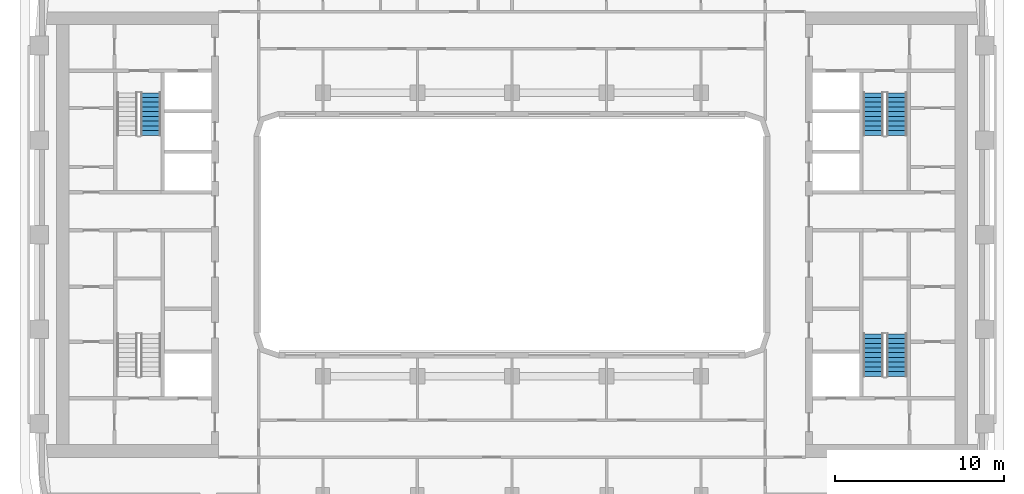
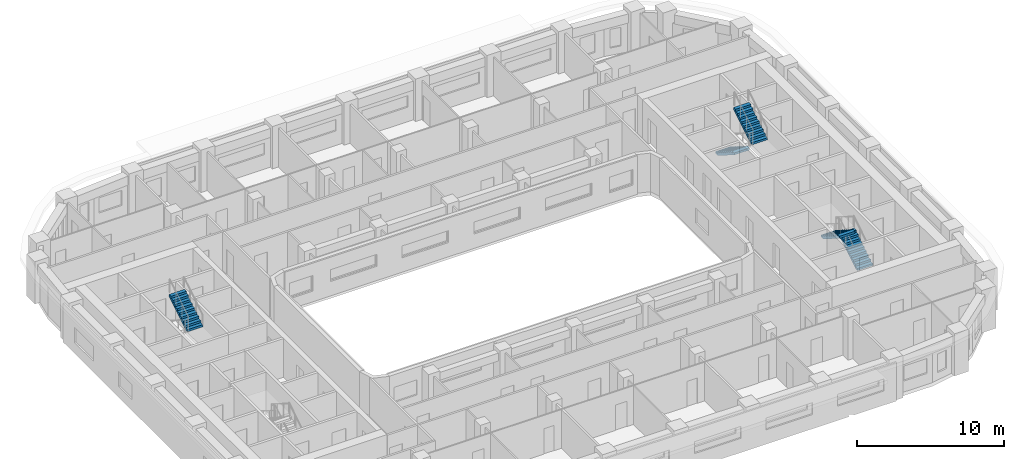
# One storey, part 10 of 22: 5 stair flights, 3 elements without a shape of their own.
"""IFC4 building model written with IfcOpenShell, lengths in metres."""

from ifc_helpers import new_model, si_unit, direction, frame, origin, place, context, subcontext, project, spatial, polyline, outline, extrude, material, type_object, element, aggregate, save


model = new_model("IFC4")

# Units and contexts
model_context = context("Model", 3, precision=1e-05, world=origin(), true_north=direction((0.0, 1.0)))
body_context = subcontext(model_context, "Body", "Model", "MODEL_VIEW")
ifc_project = project(units=[si_unit("LENGTHUNIT", "METRE"), si_unit("AREAUNIT", "SQUARE_METRE"), si_unit("VOLUMEUNIT", "CUBIC_METRE"), si_unit("PLANEANGLEUNIT", "RADIAN"), si_unit("MASSUNIT", "GRAM", prefix="KILO")], contexts=[model_context])

# Site, building, storey
site_placement = place(None, origin())
site = spatial("IfcSite", under=ifc_project, at=site_placement, CompositionType="ELEMENT")
building_placement = place(site_placement, origin())
building = spatial("IfcBuilding", under=site, at=building_placement, Name="Kiln Ring Residences", CompositionType="ELEMENT")
storey_placement = place(building_placement, frame((0.0, 0.0, 146.60009765625)))
storey = spatial("IfcBuildingStorey", under=building, at=storey_placement, Name="L37", CompositionType="ELEMENT", Elevation=146.60009765625)

# Stair, stair flight
ifc_material_1 = material(Name="Concrete C40/50", Category="concrete")
stair_type = type_object("IfcStairType", Name="CORE-STAIR", PredefinedType="HALF_TURN_STAIR", material=ifc_material_1)
placement = place(storey_placement, origin())
stair_1 = element("IfcStair", 1, at=placement, inside=storey, type_object=stair_type, Name="L37 stair W-STN", PredefinedType="HALF_TURN_STAIR")
ifc_material_2 = material(Name="Concrete C40/50", Category="concrete")
stair_flight_type = type_object("IfcStairFlightType", Name="CORE-STAIR-FLIGHT", PredefinedType="STRAIGHT", material=ifc_material_2)
stair_flight_1_placement = place(storey_placement, frame((-21.39990234375, 5.8798828125, 1.75), z_axis=(0.0, 0.0, 1.0), x_axis=(0.0, 1.0, 0.0)))
stair_flight_1 = element("IfcStairFlight", 2, at=stair_flight_1_placement, type_object=stair_flight_type, Name="W-STN flight 2", NumberOfRisers=10, NumberOfTreads=9, PredefinedType="STRAIGHT", RiserHeight=0.175, TreadLength=0.28, context=body_context, shape_type="SweptSolid", body=[
    extrude(outline(polyline([(0.0, 0.0), (0.0, 0.175048828125), (0.280029296875, 0.175048828125), (0.280029296875, 0.35009765625), (0.56005859375, 0.35009765625), (0.56005859375, 0.52490234375), (0.840087890625, 0.52490234375), (0.840087890625, 0.699951171875), (1.1201171875, 0.699951171875), (1.1201171875, 0.875), (1.39990234375, 0.875), (1.39990234375, 1.050048828125), (1.679931640625, 1.050048828125), (1.679931640625, 1.22509765625), (1.9599609375, 1.22509765625), (1.9599609375, 1.39990234375), (2.239990234375, 1.39990234375), (2.239990234375, 1.574951171875), (2.52001953125, 1.574951171875), (2.52001953125, 1.75), (2.52001953125, 1.398193359375), (0.28271484375, 0.0), (0.0, 0.0)])), frame((0.0, 0.60009765625, 0.0), z_axis=(0.0, -1.0, 0.0), x_axis=(1.0, 0.0, 0.0)), (0.0, 0.0, 1.0), 1.199951171875),
])
aggregate(stair_1, [stair_flight_1])

# Stair, stair flights
stair_2 = element("IfcStair", 3, at=placement, inside=storey, type_object=stair_type, Name="L37 stair E-STN", PredefinedType="HALF_TURN_STAIR")
stair_flight_2_placement = place(storey_placement, frame((21.39990234375, 8.39990234375, 0.0), z_axis=(0.0, 0.0, 1.0), x_axis=(0.0, -1.0, 0.0)))
stair_flight_2 = element("IfcStairFlight", 4, at=stair_flight_2_placement, type_object=stair_flight_type, Name="E-STN flight 1", NumberOfRisers=10, NumberOfTreads=9, PredefinedType="STRAIGHT", RiserHeight=0.175, TreadLength=0.28, context=body_context, shape_type="SweptSolid", body=[
    extrude(outline(polyline([(0.0, 0.0), (0.0, 0.175048828125), (0.280029296875, 0.175048828125), (0.280029296875, 0.35009765625), (0.56005859375, 0.35009765625), (0.56005859375, 0.52490234375), (0.840087890625, 0.52490234375), (0.840087890625, 0.699951171875), (1.1201171875, 0.699951171875), (1.1201171875, 0.875), (1.39990234375, 0.875), (1.39990234375, 1.050048828125), (1.679931640625, 1.050048828125), (1.679931640625, 1.22509765625), (1.9599609375, 1.22509765625), (1.9599609375, 1.39990234375), (2.239990234375, 1.39990234375), (2.239990234375, 1.574951171875), (2.52001953125, 1.574951171875), (2.52001953125, 1.75), (2.52001953125, 1.398193359375), (0.28271484375, 0.0), (0.0, 0.0)])), frame((0.0, 0.60009765625, 0.0), z_axis=(0.0, -1.0, 0.0), x_axis=(1.0, 0.0, 0.0)), (0.0, 0.0, 1.0), 1.199951171875),
])
stair_flight_3_placement = place(storey_placement, frame((22.800048828125, 5.8798828125, 1.75), z_axis=(0.0, 0.0, 1.0), x_axis=(0.0, 1.0, 0.0)))
stair_flight_3 = element("IfcStairFlight", 5, at=stair_flight_3_placement, type_object=stair_flight_type, Name="E-STN flight 2", NumberOfRisers=10, NumberOfTreads=9, PredefinedType="STRAIGHT", RiserHeight=0.175, TreadLength=0.28, context=body_context, shape_type="SweptSolid", body=[
    extrude(outline(polyline([(0.0, 0.0), (0.0, 0.175048828125), (0.280029296875, 0.175048828125), (0.280029296875, 0.35009765625), (0.56005859375, 0.35009765625), (0.56005859375, 0.52490234375), (0.840087890625, 0.52490234375), (0.840087890625, 0.699951171875), (1.1201171875, 0.699951171875), (1.1201171875, 0.875), (1.39990234375, 0.875), (1.39990234375, 1.050048828125), (1.679931640625, 1.050048828125), (1.679931640625, 1.22509765625), (1.9599609375, 1.22509765625), (1.9599609375, 1.39990234375), (2.239990234375, 1.39990234375), (2.239990234375, 1.574951171875), (2.52001953125, 1.574951171875), (2.52001953125, 1.75), (2.52001953125, 1.398193359375), (0.28271484375, 0.0), (0.0, 0.0)])), frame((0.0, 0.60009765625, 0.0), z_axis=(0.0, -1.0, 0.0), x_axis=(1.0, 0.0, 0.0)), (0.0, 0.0, 1.0), 1.199951171875),
])
aggregate(stair_2, [stair_flight_2, stair_flight_3])

stair_3 = element("IfcStair", 6, at=placement, inside=storey, type_object=stair_type, Name="L37 stair E-STS", PredefinedType="HALF_TURN_STAIR")
stair_flight_4_placement = place(storey_placement, frame((22.800048828125, -8.39990234375, 0.0), z_axis=(0.0, 0.0, 1.0), x_axis=(0.0, 1.0, 0.0)))
stair_flight_4 = element("IfcStairFlight", 7, at=stair_flight_4_placement, type_object=stair_flight_type, Name="E-STS flight 1", NumberOfRisers=10, NumberOfTreads=9, PredefinedType="STRAIGHT", RiserHeight=0.175, TreadLength=0.28, context=body_context, shape_type="SweptSolid", body=[
    extrude(outline(polyline([(0.0, 0.0), (0.0, 0.175048828125), (0.280029296875, 0.175048828125), (0.280029296875, 0.35009765625), (0.56005859375, 0.35009765625), (0.56005859375, 0.52490234375), (0.840087890625, 0.52490234375), (0.840087890625, 0.699951171875), (1.1201171875, 0.699951171875), (1.1201171875, 0.875), (1.39990234375, 0.875), (1.39990234375, 1.050048828125), (1.679931640625, 1.050048828125), (1.679931640625, 1.22509765625), (1.9599609375, 1.22509765625), (1.9599609375, 1.39990234375), (2.239990234375, 1.39990234375), (2.239990234375, 1.574951171875), (2.52001953125, 1.574951171875), (2.52001953125, 1.75), (2.52001953125, 1.398193359375), (0.28271484375, 0.0), (0.0, 0.0)])), frame((0.0, 0.60009765625, 0.0), z_axis=(0.0, -1.0, 0.0), x_axis=(1.0, 0.0, 0.0)), (0.0, 0.0, 1.0), 1.199951171875),
])
stair_flight_5_placement = place(storey_placement, frame((21.39990234375, -5.8798828125, 1.75), z_axis=(0.0, 0.0, 1.0), x_axis=(0.0, -1.0, 0.0)))
stair_flight_5 = element("IfcStairFlight", 8, at=stair_flight_5_placement, type_object=stair_flight_type, Name="E-STS flight 2", NumberOfRisers=10, NumberOfTreads=9, PredefinedType="STRAIGHT", RiserHeight=0.175, TreadLength=0.28, context=body_context, shape_type="SweptSolid", body=[
    extrude(outline(polyline([(0.0, 0.0), (0.0, 0.175048828125), (0.280029296875, 0.175048828125), (0.280029296875, 0.35009765625), (0.56005859375, 0.35009765625), (0.56005859375, 0.52490234375), (0.840087890625, 0.52490234375), (0.840087890625, 0.699951171875), (1.1201171875, 0.699951171875), (1.1201171875, 0.875), (1.39990234375, 0.875), (1.39990234375, 1.050048828125), (1.679931640625, 1.050048828125), (1.679931640625, 1.22509765625), (1.9599609375, 1.22509765625), (1.9599609375, 1.39990234375), (2.239990234375, 1.39990234375), (2.239990234375, 1.574951171875), (2.52001953125, 1.574951171875), (2.52001953125, 1.75), (2.52001953125, 1.398193359375), (0.28271484375, 0.0), (0.0, 0.0)])), frame((0.0, 0.60009765625, 0.0), z_axis=(0.0, -1.0, 0.0), x_axis=(1.0, 0.0, 0.0)), (0.0, 0.0, 1.0), 1.199951171875),
])
aggregate(stair_3, [stair_flight_4, stair_flight_5])

save(model, "model.ifc")
